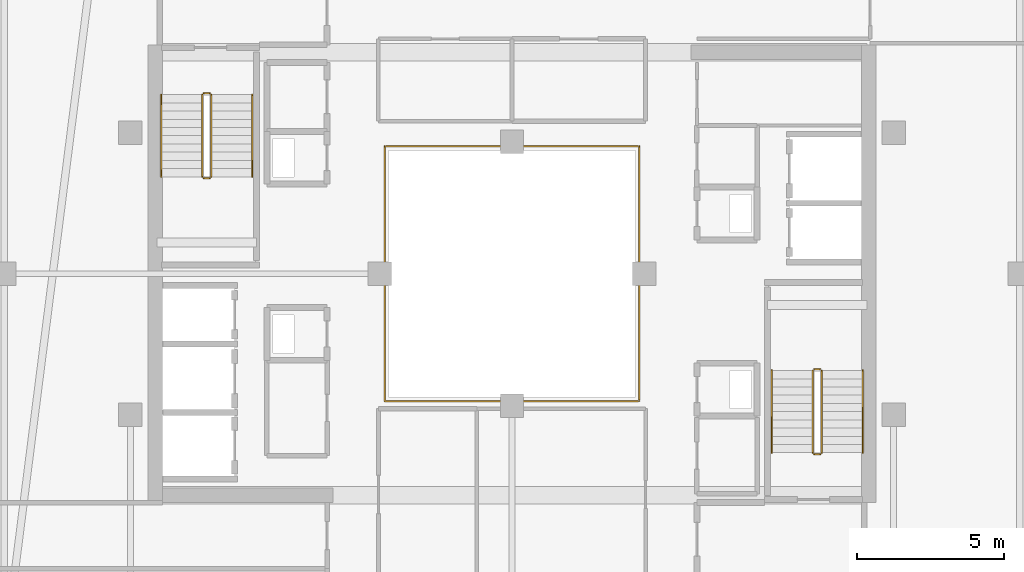
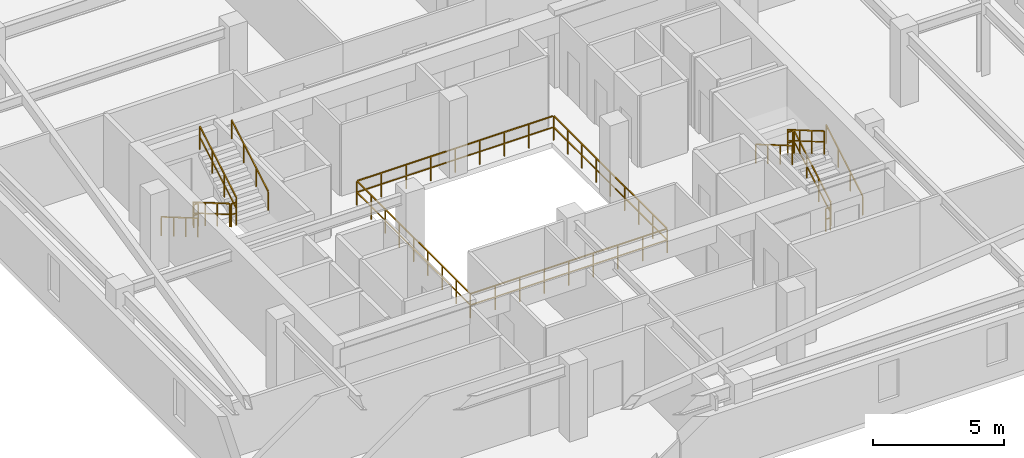
# One storey, part 34 of 35: 13 railings.
"""IFC4 building model written with IfcOpenShell, lengths in metres."""

import ifcopenshell
import ifcopenshell.guid

model = None  # the IFC model being written
_history = None  # IfcOwnerHistory: only IFC2X3 demands one
_inside = {}  # id of a spatial element -> (the spatial element, [elements in it])
_under = {}  # id of a project, library or spatial element -> (it, [spatial elements below it])
_declared = {}  # id of a project -> (the project, [libraries it declares])
_typed = {}  # id of a type object -> (the type object, [elements of that type])
_made_of = {}  # id of a material, layer set ... -> (it, [elements and type objects made of it])


def new_model(schema):
    """Start an empty IFC model of exactly this schema.

    Asked for "IFC4X3", IfcOpenShell would pick the latest addendum, in which some entities
    have other attributes; the version numbers below select the first issue.
    IFC2X3 requires an IfcOwnerHistory on every rooted entity: one is made here for all.
    """
    global model, _history
    if schema == "IFC4X3":
        model = ifcopenshell.file(schema_version=(4, 3, 0, 0))
    else:
        model = ifcopenshell.file(schema=schema)
    _inside.clear()
    _under.clear()
    _declared.clear()
    _typed.clear()
    _made_of.clear()
    _history = None
    if model.schema == "IFC2X3":
        org = make("IfcOrganization", Name="unknown")
        user = make(
            "IfcPersonAndOrganization",
            ThePerson=make("IfcPerson", FamilyName="unknown"),
            TheOrganization=org,
        )
        app = make(
            "IfcApplication",
            ApplicationDeveloper=org,
            Version="unknown",
            ApplicationFullName="unknown",
            ApplicationIdentifier="unknown",
        )
        _history = make(
            "IfcOwnerHistory",
            OwningUser=user,
            OwningApplication=app,
            ChangeAction="ADDED",
            CreationDate=0,
        )
    return model


def make(cls, **values):
    """One entity of the class cls with the attributes given. An attribute that is None is left unset."""
    return model.create_entity(
        cls, **{name: value for name, value in values.items() if value is not None}
    )


def rooted(cls, **values):
    """An entity with a GlobalId (a new one), such as an element, a storey or a relation."""
    return make(cls, GlobalId=ifcopenshell.guid.new(), OwnerHistory=_history, **values)


def si_unit(unit_type, name, prefix=None):
    """IfcSIUnit, for example si_unit("LENGTHUNIT", "METRE", prefix="MILLI")."""
    return make("IfcSIUnit", UnitType=unit_type, Prefix=prefix, Name=name)


def assignment(units):
    """IfcUnitAssignment: the units of a project."""
    return None if units is None else make("IfcUnitAssignment", Units=units)


def point(xyz):
    """IfcCartesianPoint."""
    return None if xyz is None else make("IfcCartesianPoint", Coordinates=xyz)


def direction(xyz):
    """IfcDirection."""
    return None if xyz is None else make("IfcDirection", DirectionRatios=xyz)


def frame(location, z_axis=None, x_axis=None):
    """IfcAxis2Placement3D, a coordinate frame: its origin and axes. An axis left out is left unset."""
    return make(
        "IfcAxis2Placement3D",
        Location=point(location),
        Axis=direction(z_axis),
        RefDirection=direction(x_axis),
    )


def frame_2d(location, x_axis=None):
    """IfcAxis2Placement2D, a coordinate frame in the plane: its origin and x axis."""
    return make(
        "IfcAxis2Placement2D", Location=point(location), RefDirection=direction(x_axis)
    )


def origin():
    """The frame at (0, 0, 0) with its axes left unset."""
    return frame((0.0, 0.0, 0.0))


def origin_2d():
    """The frame at (0, 0) in the plane with its x axis left unset."""
    return frame_2d((0.0, 0.0))


def place(relative_to, where):
    """IfcLocalPlacement: puts the frame where relative to a parent placement (None: the world)."""
    return make(
        "IfcLocalPlacement", PlacementRelTo=relative_to, RelativePlacement=where
    )


def context(
    kind, dimensions, precision=None, world=None, true_north=None, identifier=None
):
    """IfcGeometricRepresentationContext, for example the 3D "Model" context."""
    return make(
        "IfcGeometricRepresentationContext",
        ContextIdentifier=identifier,
        ContextType=kind,
        CoordinateSpaceDimension=dimensions,
        Precision=precision,
        WorldCoordinateSystem=world,
        TrueNorth=true_north,
    )


def subcontext(parent, identifier, kind, view, scale=None):
    """IfcGeometricRepresentationSubContext, for example "Body" below "Model"."""
    return make(
        "IfcGeometricRepresentationSubContext",
        ContextIdentifier=identifier,
        ContextType=kind,
        ParentContext=parent,
        TargetScale=scale,
        TargetView=view,
    )


def project(units=None, contexts=None):
    """IfcProject with its units and contexts."""
    return rooted(
        "IfcProject",
        Name="project",
        RepresentationContexts=contexts,
        UnitsInContext=assignment(units),
    )


def spatial(cls, under=None, at=None, **own):
    """A site, building, storey or space (cls), placed at a placement, below another one or the project."""
    s = rooted(cls, ObjectPlacement=at, **own)
    if under is not None:
        _under.setdefault(under.id(), (under, []))[1].append(s)
    return s


def profile(cls, at=None, kind="AREA", **sizes):
    """A parametric profile (cls). Its sizes go by their IFC names, for example OverallWidth=200.0."""
    return make(cls, ProfileType=kind, Position=at, **sizes)


def rectangle(**sizes):
    """IfcRectangleProfileDef."""
    return profile("IfcRectangleProfileDef", **sizes)


def extrude(swept, where, along, depth):
    """IfcExtrudedAreaSolid: the profile swept, set in the frame where, extruded along a direction by depth."""
    return make(
        "IfcExtrudedAreaSolid",
        SweptArea=swept,
        Position=where,
        ExtrudedDirection=direction(along),
        Depth=depth,
    )


def shape(context_of_items, identifier, shape_type, items):
    """IfcShapeRepresentation: the items that make up one representation, for example the "Body"."""
    return make(
        "IfcShapeRepresentation",
        ContextOfItems=context_of_items,
        RepresentationIdentifier=identifier,
        RepresentationType=shape_type,
        Items=items,
    )


def material(Name=None, Category=None):
    """IfcMaterial."""
    return make("IfcMaterial", Name=Name, Category=Category)


def made_of(thing, what):
    """Note that an element or type object is made of a material, layer set ...; save() writes the relation."""
    if what is not None:
        _made_of.setdefault(what.id(), (what, []))[1].append(thing)
    return thing


def type_object(cls, material=None, **own):
    """A type object (cls), such as IfcWallType, which elements share."""
    return made_of(rooted(cls, **own), material)


def element(
    cls,
    number,
    at=None,
    inside=None,
    cuts=None,
    type_object=None,
    material=None,
    context=None,
    identifier="Body",
    shape_type=None,
    held_by="IfcProductDefinitionShape",
    body=None,
    shapes=None,
    **own,
):
    """One element of the class cls, such as IfcWall. Its Tag is "e" and its number.

    at: its placement. inside: the storey or other place that contains it. cuts: it is an
    opening in that element (IfcRelVoidsElement). A single representation is given by context,
    identifier, shape_type and body (its items); several are given by shapes. held_by: the class
    of the entity that holds the representations. save() writes the other relations.
    """
    e = rooted(cls, Tag="e%d" % number, ObjectPlacement=at, **own)
    if body is not None:
        shapes = [shape(context, identifier, shape_type, body)]
    if shapes is not None:
        e.Representation = make(held_by, Representations=shapes)
    if inside is not None:
        _inside.setdefault(inside.id(), (inside, []))[1].append(e)
    if cuts is not None:
        rooted(
            "IfcRelVoidsElement", RelatingBuildingElement=cuts, RelatedOpeningElement=e
        )
    if type_object is not None:
        _typed.setdefault(type_object.id(), (type_object, []))[1].append(e)
    return made_of(e, material)


def aggregate(whole, parts):
    """IfcRelAggregates: a whole, such as a stair, and the parts it consists of."""
    return rooted("IfcRelAggregates", RelatingObject=whole, RelatedObjects=parts)


def save(model, path):
    """Write the relations noted so far, then the file.

    IfcRelAggregates (storeys below a building ...), IfcRelContainedInSpatialStructure (elements
    in a storey), IfcRelDefinesByType, IfcRelAssociatesMaterial and IfcRelDeclares: one each for
    every whole, place, type object, material and project.
    """
    for whole, parts in _under.values():
        aggregate(whole, parts)
    for where, things in _inside.values():
        rooted(
            "IfcRelContainedInSpatialStructure",
            RelatedElements=things,
            RelatingStructure=where,
        )
    for kind, things in _typed.values():
        rooted("IfcRelDefinesByType", RelatedObjects=things, RelatingType=kind)
    for what, things in _made_of.values():
        rooted("IfcRelAssociatesMaterial", RelatedObjects=things, RelatingMaterial=what)
    for by, libraries in _declared.values():
        rooted("IfcRelDeclares", RelatingContext=by, RelatedDefinitions=libraries)
    model.write(path)


model = new_model("IFC4")

# Units and contexts
model_context = context("Model", 3, precision=1e-05, world=origin(), true_north=direction((0.0, 1.0)))
body_context = subcontext(model_context, "Body", "Model", "MODEL_VIEW")
ifc_project = project(units=[si_unit("LENGTHUNIT", "METRE"), si_unit("AREAUNIT", "SQUARE_METRE"), si_unit("VOLUMEUNIT", "CUBIC_METRE"), si_unit("PLANEANGLEUNIT", "RADIAN"), si_unit("MASSUNIT", "GRAM", prefix="KILO")], contexts=[model_context])

# Site, building, storey
site_placement = place(None, origin())
site = spatial("IfcSite", under=ifc_project, at=site_placement, CompositionType="ELEMENT")
building_placement = place(site_placement, origin())
building = spatial("IfcBuilding", under=site, at=building_placement, Name="Thornwick Lancets Civic Towers", CompositionType="ELEMENT")
storey_placement = place(building_placement, frame((0.0, 0.0, 269.10009765625)))
storey = spatial("IfcBuildingStorey", under=building, at=storey_placement, Name="L72", CompositionType="ELEMENT", Elevation=269.10009765625)

# Railings
ifc_material_1 = material(Name="Laminated glass and bronze steel S355", Category="steel")
railing_type_1 = type_object("IfcRailingType", Name="RAIL_ATRIUM_GUARD", PredefinedType="BALUSTRADE", material=ifc_material_1)
railing_1_placement = place(storey_placement, frame((84.159912109375, 22.659912109375, 0.0)))
element("IfcRailing", 1, at=railing_1_placement, inside=storey, type_object=railing_type_1, Name="L72 Tower B Central Atrium Guard Balustrade", PredefinedType="BALUSTRADE", context=body_context, shape_type="SweptSolid", body=[
    extrude(rectangle(XDim=0.048095703125, YDim=0.048095703125, at=origin_2d()), frame((0.0, 0.0, 1.1259765625), z_axis=(1.0, 0.0, 0.0), x_axis=(0.0, 1.0, 0.0)), (0.0, 0.0, 1.0), 8.64892578125),
    extrude(rectangle(XDim=0.0419921875, YDim=0.0419921875, at=origin_2d()), frame((0.03759765625, 0.0, 0.597900390625), z_axis=(1.0, 0.0, 0.0), x_axis=(0.0, 1.0, 0.0)), (0.0, 0.0, 1.0), 1.010009765625),
    extrude(rectangle(XDim=0.0419921875, YDim=0.0419921875, at=origin_2d()), frame((1.12255859375, 0.0, 0.597900390625), z_axis=(1.0, 0.0, 0.0), x_axis=(0.0, 1.0, 0.0)), (0.0, 0.0, 1.0), 1.010009765625),
    extrude(rectangle(XDim=0.0419921875, YDim=0.0419921875, at=origin_2d()), frame((2.20751953125, 0.0, 0.597900390625), z_axis=(1.0, 0.0, 0.0), x_axis=(0.0, 1.0, 0.0)), (0.0, 0.0, 1.0), 1.010009765625),
    extrude(rectangle(XDim=0.0419921875, YDim=0.0419921875, at=origin_2d()), frame((3.29248046875, 0.0, 0.597900390625), z_axis=(1.0, 0.0, 0.0), x_axis=(0.0, 1.0, 0.0)), (0.0, 0.0, 1.0), 1.010009765625),
    extrude(rectangle(XDim=0.0419921875, YDim=0.0419921875, at=origin_2d()), frame((4.377685546875, 0.0, 0.597900390625), z_axis=(1.0, 0.0, 0.0), x_axis=(0.0, 1.0, 0.0)), (0.0, 0.0, 1.0), 1.010009765625),
    extrude(rectangle(XDim=0.0419921875, YDim=0.0419921875, at=origin_2d()), frame((5.462646484375, 0.0, 0.597900390625), z_axis=(1.0, 0.0, 0.0), x_axis=(0.0, 1.0, 0.0)), (0.0, 0.0, 1.0), 1.010009765625),
    extrude(rectangle(XDim=0.0419921875, YDim=0.0419921875, at=origin_2d()), frame((6.547607421875, 0.0, 0.597900390625), z_axis=(1.0, 0.0, 0.0), x_axis=(0.0, 1.0, 0.0)), (0.0, 0.0, 1.0), 1.010009765625),
    extrude(rectangle(XDim=0.0419921875, YDim=0.0419921875, at=origin_2d()), frame((7.632568359375, 0.0, 0.597900390625), z_axis=(1.0, 0.0, 0.0), x_axis=(0.0, 1.0, 0.0)), (0.0, 0.0, 1.0), 1.010009765625),
    extrude(rectangle(XDim=0.048095703125, YDim=0.048095703125, at=origin_2d()), frame((8.68017578125, 0.03125, 1.1259765625), z_axis=(0.0, 1.0, 0.0), x_axis=(-1.0, 0.0, 0.0)), (0.0, 0.0, 1.0), 8.61767578125),
    extrude(rectangle(XDim=0.0419921875, YDim=0.0419921875, at=origin_2d()), frame((8.68017578125, 0.03759765625, 0.597900390625), z_axis=(0.0, 1.0, 0.0), x_axis=(-1.0, 0.0, 0.0)), (0.0, 0.0, 1.0), 1.010009765625),
    extrude(rectangle(XDim=0.0419921875, YDim=0.0419921875, at=origin_2d()), frame((8.68017578125, 1.12255859375, 0.597900390625), z_axis=(0.0, 1.0, 0.0), x_axis=(-1.0, 0.0, 0.0)), (0.0, 0.0, 1.0), 1.010009765625),
    extrude(rectangle(XDim=0.0419921875, YDim=0.0419921875, at=origin_2d()), frame((8.68017578125, 2.20751953125, 0.597900390625), z_axis=(0.0, 1.0, 0.0), x_axis=(-1.0, 0.0, 0.0)), (0.0, 0.0, 1.0), 1.010009765625),
    extrude(rectangle(XDim=0.0419921875, YDim=0.0419921875, at=origin_2d()), frame((8.68017578125, 3.29248046875, 0.597900390625), z_axis=(0.0, 1.0, 0.0), x_axis=(-1.0, 0.0, 0.0)), (0.0, 0.0, 1.0), 1.010009765625),
    extrude(rectangle(XDim=0.0419921875, YDim=0.0419921875, at=origin_2d()), frame((8.68017578125, 4.377685546875, 0.597900390625), z_axis=(0.0, 1.0, 0.0), x_axis=(-1.0, 0.0, 0.0)), (0.0, 0.0, 1.0), 1.010009765625),
    extrude(rectangle(XDim=0.0419921875, YDim=0.0419921875, at=origin_2d()), frame((8.68017578125, 5.462646484375, 0.597900390625), z_axis=(0.0, 1.0, 0.0), x_axis=(-1.0, 0.0, 0.0)), (0.0, 0.0, 1.0), 1.010009765625),
    extrude(rectangle(XDim=0.0419921875, YDim=0.0419921875, at=origin_2d()), frame((8.68017578125, 6.547607421875, 0.597900390625), z_axis=(0.0, 1.0, 0.0), x_axis=(-1.0, 0.0, 0.0)), (0.0, 0.0, 1.0), 1.010009765625),
    extrude(rectangle(XDim=0.0419921875, YDim=0.0419921875, at=origin_2d()), frame((8.68017578125, 7.632568359375, 0.597900390625), z_axis=(0.0, 1.0, 0.0), x_axis=(-1.0, 0.0, 0.0)), (0.0, 0.0, 1.0), 1.010009765625),
    extrude(rectangle(XDim=0.048095703125, YDim=0.048095703125, at=origin_2d()), frame((8.64892578125, 8.68017578125, 1.1259765625), z_axis=(-1.0, 0.0, 0.0), x_axis=(0.0, -1.0, 0.0)), (0.0, 0.0, 1.0), 8.61767578125),
    extrude(rectangle(XDim=0.0419921875, YDim=0.0419921875, at=origin_2d()), frame((8.642578125, 8.68017578125, 0.597900390625), z_axis=(-1.0, 0.0, 0.0), x_axis=(0.0, -1.0, 0.0)), (0.0, 0.0, 1.0), 1.010009765625),
    extrude(rectangle(XDim=0.0419921875, YDim=0.0419921875, at=origin_2d()), frame((7.5576171875, 8.68017578125, 0.597900390625), z_axis=(-1.0, 0.0, 0.0), x_axis=(0.0, -1.0, 0.0)), (0.0, 0.0, 1.0), 1.010009765625),
    extrude(rectangle(XDim=0.0419921875, YDim=0.0419921875, at=origin_2d()), frame((6.47265625, 8.68017578125, 0.597900390625), z_axis=(-1.0, 0.0, 0.0), x_axis=(0.0, -1.0, 0.0)), (0.0, 0.0, 1.0), 1.010009765625),
    extrude(rectangle(XDim=0.0419921875, YDim=0.0419921875, at=origin_2d()), frame((5.3876953125, 8.68017578125, 0.597900390625), z_axis=(-1.0, 0.0, 0.0), x_axis=(0.0, -1.0, 0.0)), (0.0, 0.0, 1.0), 1.010009765625),
    extrude(rectangle(XDim=0.0419921875, YDim=0.0419921875, at=origin_2d()), frame((4.302490234375, 8.68017578125, 0.597900390625), z_axis=(-1.0, 0.0, 0.0), x_axis=(0.0, -1.0, 0.0)), (0.0, 0.0, 1.0), 1.010009765625),
    extrude(rectangle(XDim=0.0419921875, YDim=0.0419921875, at=origin_2d()), frame((3.217529296875, 8.68017578125, 0.597900390625), z_axis=(-1.0, 0.0, 0.0), x_axis=(0.0, -1.0, 0.0)), (0.0, 0.0, 1.0), 1.010009765625),
    extrude(rectangle(XDim=0.0419921875, YDim=0.0419921875, at=origin_2d()), frame((2.132568359375, 8.68017578125, 0.597900390625), z_axis=(-1.0, 0.0, 0.0), x_axis=(0.0, -1.0, 0.0)), (0.0, 0.0, 1.0), 1.010009765625),
    extrude(rectangle(XDim=0.0419921875, YDim=0.0419921875, at=origin_2d()), frame((1.047607421875, 8.68017578125, 0.597900390625), z_axis=(-1.0, 0.0, 0.0), x_axis=(0.0, -1.0, 0.0)), (0.0, 0.0, 1.0), 1.010009765625),
    extrude(rectangle(XDim=0.048095703125, YDim=0.048095703125, at=origin_2d()), frame((0.0, 8.64892578125, 1.1259765625), z_axis=(0.0, -1.0, 0.0), x_axis=(1.0, 0.0, 0.0)), (0.0, 0.0, 1.0), 8.64892578125),
    extrude(rectangle(XDim=0.0419921875, YDim=0.0419921875, at=origin_2d()), frame((0.0, 8.642578125, 0.597900390625), z_axis=(0.0, -1.0, 0.0), x_axis=(1.0, 0.0, 0.0)), (0.0, 0.0, 1.0), 1.010009765625),
    extrude(rectangle(XDim=0.0419921875, YDim=0.0419921875, at=origin_2d()), frame((0.0, 7.5576171875, 0.597900390625), z_axis=(0.0, -1.0, 0.0), x_axis=(1.0, 0.0, 0.0)), (0.0, 0.0, 1.0), 1.010009765625),
    extrude(rectangle(XDim=0.0419921875, YDim=0.0419921875, at=origin_2d()), frame((0.0, 6.47265625, 0.597900390625), z_axis=(0.0, -1.0, 0.0), x_axis=(1.0, 0.0, 0.0)), (0.0, 0.0, 1.0), 1.010009765625),
    extrude(rectangle(XDim=0.0419921875, YDim=0.0419921875, at=origin_2d()), frame((0.0, 5.3876953125, 0.597900390625), z_axis=(0.0, -1.0, 0.0), x_axis=(1.0, 0.0, 0.0)), (0.0, 0.0, 1.0), 1.010009765625),
    extrude(rectangle(XDim=0.0419921875, YDim=0.0419921875, at=origin_2d()), frame((0.0, 4.302490234375, 0.597900390625), z_axis=(0.0, -1.0, 0.0), x_axis=(1.0, 0.0, 0.0)), (0.0, 0.0, 1.0), 1.010009765625),
    extrude(rectangle(XDim=0.0419921875, YDim=0.0419921875, at=origin_2d()), frame((0.0, 3.217529296875, 0.597900390625), z_axis=(0.0, -1.0, 0.0), x_axis=(1.0, 0.0, 0.0)), (0.0, 0.0, 1.0), 1.010009765625),
    extrude(rectangle(XDim=0.0419921875, YDim=0.0419921875, at=origin_2d()), frame((0.0, 2.132568359375, 0.597900390625), z_axis=(0.0, -1.0, 0.0), x_axis=(1.0, 0.0, 0.0)), (0.0, 0.0, 1.0), 1.010009765625),
    extrude(rectangle(XDim=0.0419921875, YDim=0.0419921875, at=origin_2d()), frame((0.0, 1.047607421875, 0.597900390625), z_axis=(0.0, -1.0, 0.0), x_axis=(1.0, 0.0, 0.0)), (0.0, 0.0, 1.0), 1.010009765625),
    extrude(rectangle(XDim=0.0419921875, YDim=0.0419921875, at=origin_2d()), origin(), (0.0, 0.0, 1.0), 1.095703125),
    extrude(rectangle(XDim=0.0419921875, YDim=0.0419921875, at=origin_2d()), frame((1.0849609375, 0.0, 0.0)), (0.0, 0.0, 1.0), 1.095703125),
    extrude(rectangle(XDim=0.0419921875, YDim=0.0419921875, at=origin_2d()), frame((2.169921875, 0.0, 0.0)), (0.0, 0.0, 1.0), 1.095703125),
    extrude(rectangle(XDim=0.0419921875, YDim=0.0419921875, at=origin_2d()), frame((3.255126953125, 0.0, 0.0)), (0.0, 0.0, 1.0), 1.095703125),
    extrude(rectangle(XDim=0.0419921875, YDim=0.0419921875, at=origin_2d()), frame((4.340087890625, 0.0, 0.0)), (0.0, 0.0, 1.0), 1.095703125),
    extrude(rectangle(XDim=0.0419921875, YDim=0.0419921875, at=origin_2d()), frame((5.425048828125, 0.0, 0.0)), (0.0, 0.0, 1.0), 1.095703125),
    extrude(rectangle(XDim=0.0419921875, YDim=0.0419921875, at=origin_2d()), frame((6.51025390625, 0.0, 0.0)), (0.0, 0.0, 1.0), 1.095703125),
    extrude(rectangle(XDim=0.0419921875, YDim=0.0419921875, at=origin_2d()), frame((7.59521484375, 0.0, 0.0)), (0.0, 0.0, 1.0), 1.095703125),
    extrude(rectangle(XDim=0.0419921875, YDim=0.0419921875, at=origin_2d()), frame((8.68017578125, 0.0, 0.0)), (0.0, 0.0, 1.0), 1.095703125),
    extrude(rectangle(XDim=0.0419921875, YDim=0.0419921875, at=origin_2d()), frame((8.68017578125, 1.0849609375, 0.0)), (0.0, 0.0, 1.0), 1.095703125),
    extrude(rectangle(XDim=0.0419921875, YDim=0.0419921875, at=origin_2d()), frame((8.68017578125, 2.169921875, 0.0)), (0.0, 0.0, 1.0), 1.095703125),
    extrude(rectangle(XDim=0.0419921875, YDim=0.0419921875, at=origin_2d()), frame((8.68017578125, 3.255126953125, 0.0)), (0.0, 0.0, 1.0), 1.095703125),
    extrude(rectangle(XDim=0.0419921875, YDim=0.0419921875, at=origin_2d()), frame((8.68017578125, 4.340087890625, 0.0)), (0.0, 0.0, 1.0), 1.095703125),
    extrude(rectangle(XDim=0.0419921875, YDim=0.0419921875, at=origin_2d()), frame((8.68017578125, 5.425048828125, 0.0)), (0.0, 0.0, 1.0), 1.095703125),
    extrude(rectangle(XDim=0.0419921875, YDim=0.0419921875, at=origin_2d()), frame((8.68017578125, 6.51025390625, 0.0)), (0.0, 0.0, 1.0), 1.095703125),
    extrude(rectangle(XDim=0.0419921875, YDim=0.0419921875, at=origin_2d()), frame((8.68017578125, 7.59521484375, 0.0)), (0.0, 0.0, 1.0), 1.095703125),
    extrude(rectangle(XDim=0.0419921875, YDim=0.0419921875, at=origin_2d()), frame((8.68017578125, 8.68017578125, 0.0)), (0.0, 0.0, 1.0), 1.095703125),
    extrude(rectangle(XDim=0.0419921875, YDim=0.0419921875, at=origin_2d()), frame((7.59521484375, 8.68017578125, 0.0)), (0.0, 0.0, 1.0), 1.095703125),
    extrude(rectangle(XDim=0.0419921875, YDim=0.0419921875, at=origin_2d()), frame((6.51025390625, 8.68017578125, 0.0)), (0.0, 0.0, 1.0), 1.095703125),
    extrude(rectangle(XDim=0.0419921875, YDim=0.0419921875, at=origin_2d()), frame((5.425048828125, 8.68017578125, 0.0)), (0.0, 0.0, 1.0), 1.095703125),
    extrude(rectangle(XDim=0.0419921875, YDim=0.0419921875, at=origin_2d()), frame((4.340087890625, 8.68017578125, 0.0)), (0.0, 0.0, 1.0), 1.095703125),
    extrude(rectangle(XDim=0.0419921875, YDim=0.0419921875, at=origin_2d()), frame((3.255126953125, 8.68017578125, 0.0)), (0.0, 0.0, 1.0), 1.095703125),
    extrude(rectangle(XDim=0.0419921875, YDim=0.0419921875, at=origin_2d()), frame((2.169921875, 8.68017578125, 0.0)), (0.0, 0.0, 1.0), 1.095703125),
    extrude(rectangle(XDim=0.0419921875, YDim=0.0419921875, at=origin_2d()), frame((1.0849609375, 8.68017578125, 0.0)), (0.0, 0.0, 1.0), 1.095703125),
    extrude(rectangle(XDim=0.0419921875, YDim=0.0419921875, at=origin_2d()), frame((0.0, 8.68017578125, 0.0)), (0.0, 0.0, 1.0), 1.095703125),
    extrude(rectangle(XDim=0.0419921875, YDim=0.0419921875, at=origin_2d()), frame((0.0, 7.59521484375, 0.0)), (0.0, 0.0, 1.0), 1.095703125),
    extrude(rectangle(XDim=0.0419921875, YDim=0.0419921875, at=origin_2d()), frame((0.0, 6.51025390625, 0.0)), (0.0, 0.0, 1.0), 1.095703125),
    extrude(rectangle(XDim=0.0419921875, YDim=0.0419921875, at=origin_2d()), frame((0.0, 5.425048828125, 0.0)), (0.0, 0.0, 1.0), 1.095703125),
    extrude(rectangle(XDim=0.0419921875, YDim=0.0419921875, at=origin_2d()), frame((0.0, 4.340087890625, 0.0)), (0.0, 0.0, 1.0), 1.095703125),
    extrude(rectangle(XDim=0.0419921875, YDim=0.0419921875, at=origin_2d()), frame((0.0, 3.255126953125, 0.0)), (0.0, 0.0, 1.0), 1.095703125),
    extrude(rectangle(XDim=0.0419921875, YDim=0.0419921875, at=origin_2d()), frame((0.0, 2.169921875, 0.0)), (0.0, 0.0, 1.0), 1.095703125),
    extrude(rectangle(XDim=0.0419921875, YDim=0.0419921875, at=origin_2d()), frame((0.0, 1.0849609375, 0.0)), (0.0, 0.0, 1.0), 1.095703125),
])
ifc_material_2 = material(Name="Brushed stainless steel S355", Category="steel")
railing_type_2 = type_object("IfcRailingType", Name="RAIL_HANDRAIL", PredefinedType="HANDRAIL", material=ifc_material_2)
railing_2_placement = place(storey_placement, frame((100.449951171875, 20.89990234375, 0.16357421875)))
element("IfcRailing", 2, at=railing_2_placement, inside=storey, type_object=railing_type_2, Name="L72 ST-B1 stair handrail 1", PredefinedType="HANDRAIL", context=body_context, shape_type="SweptSolid", body=[
    extrude(rectangle(XDim=0.048095703125, YDim=0.048095703125, at=origin_2d()), frame((0.0, 0.0, 0.8857421875), z_axis=(0.0, 0.863393664356, 0.504530851732), x_axis=(-1.0, 0.0, 0.0)), (0.0, 0.0, 1.0), 3.2431640625),
    extrude(rectangle(XDim=0.0419921875, YDim=0.0419921875, at=origin_2d()), origin(), (0.0, 0.0, 1.0), 0.855712890625),
    extrude(rectangle(XDim=0.0419921875, YDim=0.0419921875, at=origin_2d()), frame((0.0, 0.933349609375, 0.54541015625)), (0.0, 0.0, 1.0), 0.855712890625),
    extrude(rectangle(XDim=0.0419921875, YDim=0.0419921875, at=origin_2d()), frame((0.0, 1.86669921875, 1.0908203125)), (0.0, 0.0, 1.0), 0.855712890625),
    extrude(rectangle(XDim=0.0419921875, YDim=0.0419921875, at=origin_2d()), frame((0.0, 2.800048828125, 1.63623046875)), (0.0, 0.0, 1.0), 0.855712890625),
])
for number, where, name in (
    (3, (97.35009765625, 23.699951171875, 1.963623046875), "L72 ST-B1 stair handrail 2"),
    (4, (76.550048828125, 33.10009765625, 0.16357421875), "L72 ST-B2 stair handrail 1"),
):
    element("IfcRailing", number, at=place(storey_placement, frame(where)), inside=storey, type_object=railing_type_2, Name=name, PredefinedType="HANDRAIL", context=body_context, shape_type="SweptSolid", body=[
        extrude(rectangle(XDim=0.048095703125, YDim=0.048095703125, at=origin_2d()), frame((0.0, 0.0, 0.8857421875), z_axis=(0.0, -0.863393664356, 0.504530851732), x_axis=(1.0, 0.0, 0.0)), (0.0, 0.0, 1.0), 3.2431640625),
        extrude(rectangle(XDim=0.0419921875, YDim=0.0419921875, at=origin_2d()), origin(), (0.0, 0.0, 1.0), 0.855712890625),
        extrude(rectangle(XDim=0.0419921875, YDim=0.0419921875, at=origin_2d()), frame((0.0, -0.933349609375, 0.54541015625)), (0.0, 0.0, 1.0), 0.855712890625),
        extrude(rectangle(XDim=0.0419921875, YDim=0.0419921875, at=origin_2d()), frame((0.0, -1.86669921875, 1.0908203125)), (0.0, 0.0, 1.0), 0.855712890625),
        extrude(rectangle(XDim=0.0419921875, YDim=0.0419921875, at=origin_2d()), frame((0.0, -2.800048828125, 1.63623046875)), (0.0, 0.0, 1.0), 0.855712890625),
    ])
railing_3_placement = place(storey_placement, frame((79.64990234375, 30.300048828125, 1.963623046875)))
element("IfcRailing", 5, at=railing_3_placement, inside=storey, type_object=railing_type_2, Name="L72 ST-B2 stair handrail 2", PredefinedType="HANDRAIL", context=body_context, shape_type="SweptSolid", body=[
    extrude(rectangle(XDim=0.048095703125, YDim=0.048095703125, at=origin_2d()), frame((0.0, 0.0, 0.8857421875), z_axis=(0.0, 0.863393664356, 0.504530851732), x_axis=(-1.0, 0.0, 0.0)), (0.0, 0.0, 1.0), 3.2431640625),
    extrude(rectangle(XDim=0.0419921875, YDim=0.0419921875, at=origin_2d()), origin(), (0.0, 0.0, 1.0), 0.855712890625),
    extrude(rectangle(XDim=0.0419921875, YDim=0.0419921875, at=origin_2d()), frame((0.0, 0.933349609375, 0.54541015625)), (0.0, 0.0, 1.0), 0.855712890625),
    extrude(rectangle(XDim=0.0419921875, YDim=0.0419921875, at=origin_2d()), frame((0.0, 1.86669921875, 1.0908203125)), (0.0, 0.0, 1.0), 0.855712890625),
    extrude(rectangle(XDim=0.0419921875, YDim=0.0419921875, at=origin_2d()), frame((0.0, 2.800048828125, 1.63623046875)), (0.0, 0.0, 1.0), 0.855712890625),
])
ifc_material_3 = material(Name="Steel S355JR", Category="steel")
railing_type_3 = type_object("IfcRailingType", Name="RAIL_STAIR_GUARD", PredefinedType="GUARDRAIL", material=ifc_material_3)
railing_4_placement = place(storey_placement, frame((99.050048828125, 20.89990234375, 0.16357421875)))
element("IfcRailing", 6, at=railing_4_placement, inside=storey, type_object=railing_type_3, Name="L72 ST-B1 stair guard 1", PredefinedType="GUARDRAIL", context=body_context, shape_type="SweptSolid", body=[
    extrude(rectangle(XDim=0.048095703125, YDim=0.048095703125, at=origin_2d()), frame((0.0, 0.0, 1.076171875), z_axis=(0.0, 0.863393664356, 0.504530851732), x_axis=(-1.0, 0.0, 0.0)), (0.0, 0.0, 1.0), 3.2431640625),
    extrude(rectangle(XDim=0.0419921875, YDim=0.0419921875, at=origin_2d()), frame((0.0, 0.032470703125, 0.591064453125), z_axis=(0.0, 0.863393664356, 0.504530851732), x_axis=(-1.0, 0.0, 0.0)), (0.0, 0.0, 1.0), 1.006103515625),
    extrude(rectangle(XDim=0.0419921875, YDim=0.0419921875, at=origin_2d()), frame((0.0, 0.9658203125, 1.136474609375), z_axis=(0.0, 0.863393664356, 0.504530851732), x_axis=(-1.0, 0.0, 0.0)), (0.0, 0.0, 1.0), 1.006103515625),
    extrude(rectangle(XDim=0.0419921875, YDim=0.0419921875, at=origin_2d()), frame((0.0, 1.899169921875, 1.681884765625), z_axis=(0.0, 0.863393664356, 0.504530851732), x_axis=(-1.0, 0.0, 0.0)), (0.0, 0.0, 1.0), 1.006103515625),
    extrude(rectangle(XDim=0.0419921875, YDim=0.0419921875, at=origin_2d()), origin(), (0.0, 0.0, 1.0), 1.0458984375),
    extrude(rectangle(XDim=0.0419921875, YDim=0.0419921875, at=origin_2d()), frame((0.0, 0.933349609375, 0.54541015625)), (0.0, 0.0, 1.0), 1.0458984375),
    extrude(rectangle(XDim=0.0419921875, YDim=0.0419921875, at=origin_2d()), frame((0.0, 1.86669921875, 1.0908203125)), (0.0, 0.0, 1.0), 1.0458984375),
    extrude(rectangle(XDim=0.0419921875, YDim=0.0419921875, at=origin_2d()), frame((0.0, 2.800048828125, 1.63623046875)), (0.0, 0.0, 1.0), 1.0458984375),
])
railing_5_placement = place(storey_placement, frame((99.0, 23.75, 1.7998046875)))
element("IfcRailing", 7, at=railing_5_placement, inside=storey, type_object=railing_type_3, Name="L72 ST-B1 stair guard 2", PredefinedType="GUARDRAIL", context=body_context, shape_type="SweptSolid", body=[
    extrude(rectangle(XDim=0.048095703125, YDim=0.048095703125, at=origin_2d()), frame((0.0, 0.0, 1.076171875), z_axis=(-1.0, 0.0, 0.0), x_axis=(0.0, -1.0, 0.0)), (0.0, 0.0, 1.0), 0.199951171875),
    extrude(rectangle(XDim=0.0419921875, YDim=0.0419921875, at=origin_2d()), frame((-0.03759765625, 0.0, 0.572021484375), z_axis=(-1.0, 0.0, 0.0), x_axis=(0.0, -1.0, 0.0)), (0.0, 0.0, 1.0), 0.125),
    extrude(rectangle(XDim=0.0419921875, YDim=0.0419921875, at=origin_2d()), origin(), (0.0, 0.0, 1.0), 1.0458984375),
    extrude(rectangle(XDim=0.0419921875, YDim=0.0419921875, at=origin_2d()), frame((-0.199951171875, 0.0, 0.0)), (0.0, 0.0, 1.0), 1.0458984375),
])
railing_6_placement = place(storey_placement, frame((98.75, 23.699951171875, 1.963623046875)))
element("IfcRailing", 8, at=railing_6_placement, inside=storey, type_object=railing_type_3, Name="L72 ST-B1 stair guard 3", PredefinedType="GUARDRAIL", context=body_context, shape_type="SweptSolid", body=[
    extrude(rectangle(XDim=0.048095703125, YDim=0.048095703125, at=origin_2d()), frame((0.0, 0.0, 1.076171875), z_axis=(0.0, -0.863393664356, 0.504530851732), x_axis=(1.0, 0.0, 0.0)), (0.0, 0.0, 1.0), 3.2431640625),
    extrude(rectangle(XDim=0.0419921875, YDim=0.0419921875, at=origin_2d()), frame((0.0, -0.032470703125, 0.591064453125), z_axis=(0.0, -0.863393664356, 0.504530851732), x_axis=(1.0, 0.0, 0.0)), (0.0, 0.0, 1.0), 1.006103515625),
    extrude(rectangle(XDim=0.0419921875, YDim=0.0419921875, at=origin_2d()), frame((0.0, -0.9658203125, 1.136474609375), z_axis=(0.0, -0.863393664356, 0.504530851732), x_axis=(1.0, 0.0, 0.0)), (0.0, 0.0, 1.0), 1.006103515625),
    extrude(rectangle(XDim=0.0419921875, YDim=0.0419921875, at=origin_2d()), frame((0.0, -1.899169921875, 1.681884765625), z_axis=(0.0, -0.863393664356, 0.504530851732), x_axis=(1.0, 0.0, 0.0)), (0.0, 0.0, 1.0), 1.006103515625),
    extrude(rectangle(XDim=0.0419921875, YDim=0.0419921875, at=origin_2d()), origin(), (0.0, 0.0, 1.0), 1.0458984375),
    extrude(rectangle(XDim=0.0419921875, YDim=0.0419921875, at=origin_2d()), frame((0.0, -0.933349609375, 0.54541015625)), (0.0, 0.0, 1.0), 1.0458984375),
    extrude(rectangle(XDim=0.0419921875, YDim=0.0419921875, at=origin_2d()), frame((0.0, -1.86669921875, 1.0908203125)), (0.0, 0.0, 1.0), 1.0458984375),
    extrude(rectangle(XDim=0.0419921875, YDim=0.0419921875, at=origin_2d()), frame((0.0, -2.800048828125, 1.63623046875)), (0.0, 0.0, 1.0), 1.0458984375),
])
railing_7_placement = place(storey_placement, frame((99.0, 20.85009765625, 0.0)))
element("IfcRailing", 9, at=railing_7_placement, inside=storey, type_object=railing_type_3, Name="L72 ST-B1 stair guard 4", PredefinedType="GUARDRAIL", context=body_context, shape_type="SweptSolid", body=[
    extrude(rectangle(XDim=0.048095703125, YDim=0.048095703125, at=origin_2d()), frame((0.0, 0.0, 1.076171875), z_axis=(-1.0, 0.0, 0.0), x_axis=(0.0, -1.0, 0.0)), (0.0, 0.0, 1.0), 0.199951171875),
    extrude(rectangle(XDim=0.0419921875, YDim=0.0419921875, at=origin_2d()), frame((-0.03759765625, 0.0, 0.572021484375), z_axis=(-1.0, 0.0, 0.0), x_axis=(0.0, -1.0, 0.0)), (0.0, 0.0, 1.0), 0.125),
    extrude(rectangle(XDim=0.0419921875, YDim=0.0419921875, at=origin_2d()), origin(), (0.0, 0.0, 1.0), 1.0458984375),
    extrude(rectangle(XDim=0.0419921875, YDim=0.0419921875, at=origin_2d()), frame((-0.199951171875, 0.0, 0.0)), (0.0, 0.0, 1.0), 1.0458984375),
])
railing_8_placement = place(storey_placement, frame((77.949951171875, 33.10009765625, 0.16357421875)))
element("IfcRailing", 10, at=railing_8_placement, inside=storey, type_object=railing_type_3, Name="L72 ST-B2 stair guard 1", PredefinedType="GUARDRAIL", context=body_context, shape_type="SweptSolid", body=[
    extrude(rectangle(XDim=0.048095703125, YDim=0.048095703125, at=origin_2d()), frame((0.0, 0.0, 1.076171875), z_axis=(0.0, -0.863393664356, 0.504530851732), x_axis=(1.0, 0.0, 0.0)), (0.0, 0.0, 1.0), 3.2431640625),
    extrude(rectangle(XDim=0.0419921875, YDim=0.0419921875, at=origin_2d()), frame((0.0, -0.032470703125, 0.591064453125), z_axis=(0.0, -0.863393664356, 0.504530851732), x_axis=(1.0, 0.0, 0.0)), (0.0, 0.0, 1.0), 1.006103515625),
    extrude(rectangle(XDim=0.0419921875, YDim=0.0419921875, at=origin_2d()), frame((0.0, -0.9658203125, 1.136474609375), z_axis=(0.0, -0.863393664356, 0.504530851732), x_axis=(1.0, 0.0, 0.0)), (0.0, 0.0, 1.0), 1.006103515625),
    extrude(rectangle(XDim=0.0419921875, YDim=0.0419921875, at=origin_2d()), frame((0.0, -1.899169921875, 1.681884765625), z_axis=(0.0, -0.863393664356, 0.504530851732), x_axis=(1.0, 0.0, 0.0)), (0.0, 0.0, 1.0), 1.006103515625),
    extrude(rectangle(XDim=0.0419921875, YDim=0.0419921875, at=origin_2d()), origin(), (0.0, 0.0, 1.0), 1.0458984375),
    extrude(rectangle(XDim=0.0419921875, YDim=0.0419921875, at=origin_2d()), frame((0.0, -0.933349609375, 0.54541015625)), (0.0, 0.0, 1.0), 1.0458984375),
    extrude(rectangle(XDim=0.0419921875, YDim=0.0419921875, at=origin_2d()), frame((0.0, -1.86669921875, 1.0908203125)), (0.0, 0.0, 1.0), 1.0458984375),
    extrude(rectangle(XDim=0.0419921875, YDim=0.0419921875, at=origin_2d()), frame((0.0, -2.800048828125, 1.63623046875)), (0.0, 0.0, 1.0), 1.0458984375),
])
railing_9_placement = place(storey_placement, frame((78.0, 30.25, 1.7998046875)))
element("IfcRailing", 11, at=railing_9_placement, inside=storey, type_object=railing_type_3, Name="L72 ST-B2 stair guard 2", PredefinedType="GUARDRAIL", context=body_context, shape_type="SweptSolid", body=[
    extrude(rectangle(XDim=0.048095703125, YDim=0.048095703125, at=origin_2d()), frame((0.0, 0.0, 1.076171875), z_axis=(1.0, 0.0, 0.0), x_axis=(0.0, 1.0, 0.0)), (0.0, 0.0, 1.0), 0.199951171875),
    extrude(rectangle(XDim=0.0419921875, YDim=0.0419921875, at=origin_2d()), frame((0.03759765625, 0.0, 0.572021484375), z_axis=(1.0, 0.0, 0.0), x_axis=(0.0, 1.0, 0.0)), (0.0, 0.0, 1.0), 0.125),
    extrude(rectangle(XDim=0.0419921875, YDim=0.0419921875, at=origin_2d()), origin(), (0.0, 0.0, 1.0), 1.0458984375),
    extrude(rectangle(XDim=0.0419921875, YDim=0.0419921875, at=origin_2d()), frame((0.199951171875, 0.0, 0.0)), (0.0, 0.0, 1.0), 1.0458984375),
])
railing_10_placement = place(storey_placement, frame((78.25, 30.300048828125, 1.963623046875)))
element("IfcRailing", 12, at=railing_10_placement, inside=storey, type_object=railing_type_3, Name="L72 ST-B2 stair guard 3", PredefinedType="GUARDRAIL", context=body_context, shape_type="SweptSolid", body=[
    extrude(rectangle(XDim=0.048095703125, YDim=0.048095703125, at=origin_2d()), frame((0.0, 0.0, 1.076171875), z_axis=(0.0, 0.863393664356, 0.504530851732), x_axis=(-1.0, 0.0, 0.0)), (0.0, 0.0, 1.0), 3.2431640625),
    extrude(rectangle(XDim=0.0419921875, YDim=0.0419921875, at=origin_2d()), frame((0.0, 0.032470703125, 0.591064453125), z_axis=(0.0, 0.863393664356, 0.504530851732), x_axis=(-1.0, 0.0, 0.0)), (0.0, 0.0, 1.0), 1.006103515625),
    extrude(rectangle(XDim=0.0419921875, YDim=0.0419921875, at=origin_2d()), frame((0.0, 0.9658203125, 1.136474609375), z_axis=(0.0, 0.863393664356, 0.504530851732), x_axis=(-1.0, 0.0, 0.0)), (0.0, 0.0, 1.0), 1.006103515625),
    extrude(rectangle(XDim=0.0419921875, YDim=0.0419921875, at=origin_2d()), frame((0.0, 1.899169921875, 1.681884765625), z_axis=(0.0, 0.863393664356, 0.504530851732), x_axis=(-1.0, 0.0, 0.0)), (0.0, 0.0, 1.0), 1.006103515625),
    extrude(rectangle(XDim=0.0419921875, YDim=0.0419921875, at=origin_2d()), origin(), (0.0, 0.0, 1.0), 1.0458984375),
    extrude(rectangle(XDim=0.0419921875, YDim=0.0419921875, at=origin_2d()), frame((0.0, 0.933349609375, 0.54541015625)), (0.0, 0.0, 1.0), 1.0458984375),
    extrude(rectangle(XDim=0.0419921875, YDim=0.0419921875, at=origin_2d()), frame((0.0, 1.86669921875, 1.0908203125)), (0.0, 0.0, 1.0), 1.0458984375),
    extrude(rectangle(XDim=0.0419921875, YDim=0.0419921875, at=origin_2d()), frame((0.0, 2.800048828125, 1.63623046875)), (0.0, 0.0, 1.0), 1.0458984375),
])
railing_11_placement = place(storey_placement, frame((78.0, 33.14990234375, 0.0)))
element("IfcRailing", 13, at=railing_11_placement, inside=storey, type_object=railing_type_3, Name="L72 ST-B2 stair guard 4", PredefinedType="GUARDRAIL", context=body_context, shape_type="SweptSolid", body=[
    extrude(rectangle(XDim=0.048095703125, YDim=0.048095703125, at=origin_2d()), frame((0.0, 0.0, 1.076171875), z_axis=(1.0, 0.0, 0.0), x_axis=(0.0, 1.0, 0.0)), (0.0, 0.0, 1.0), 0.199951171875),
    extrude(rectangle(XDim=0.0419921875, YDim=0.0419921875, at=origin_2d()), frame((0.03759765625, 0.0, 0.572021484375), z_axis=(1.0, 0.0, 0.0), x_axis=(0.0, 1.0, 0.0)), (0.0, 0.0, 1.0), 0.125),
    extrude(rectangle(XDim=0.0419921875, YDim=0.0419921875, at=origin_2d()), origin(), (0.0, 0.0, 1.0), 1.0458984375),
    extrude(rectangle(XDim=0.0419921875, YDim=0.0419921875, at=origin_2d()), frame((0.199951171875, 0.0, 0.0)), (0.0, 0.0, 1.0), 1.0458984375),
])

save(model, "model.ifc")
